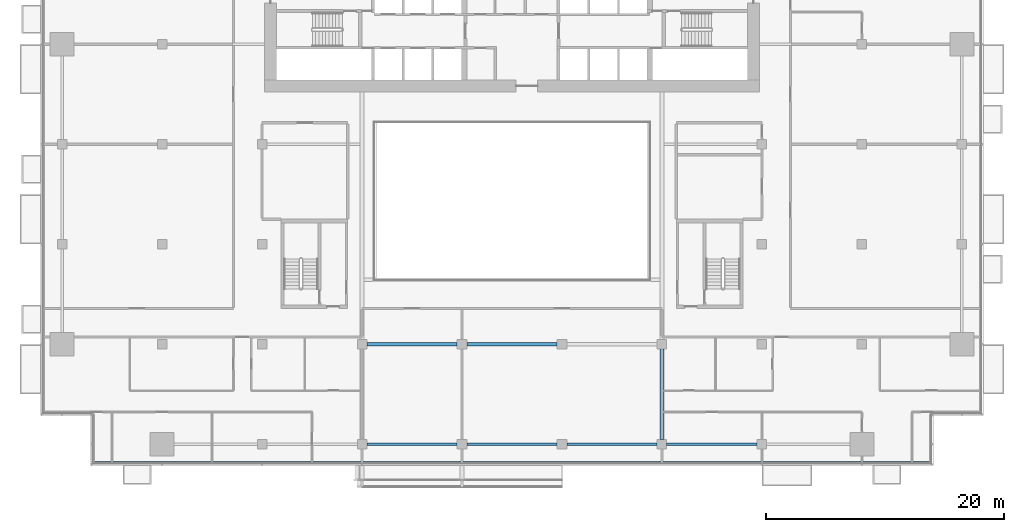
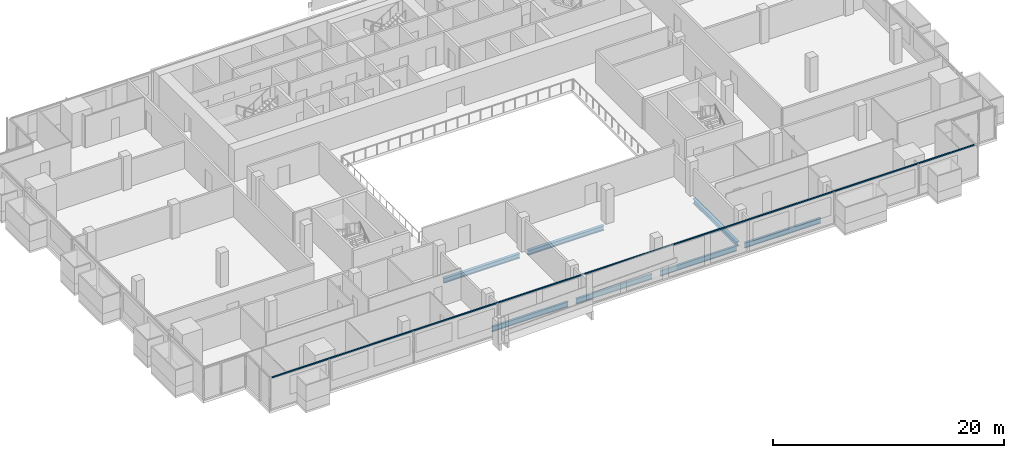
# One storey, part 5 of 26: 7 beams, 1 member, 1 element without a shape of its own.
"""IFC4 building model written with IfcOpenShell, lengths in metres."""

import ifcopenshell
import ifcopenshell.guid

model = None  # the IFC model being written
_history = None  # IfcOwnerHistory: only IFC2X3 demands one
_inside = {}  # id of a spatial element -> (the spatial element, [elements in it])
_under = {}  # id of a project, library or spatial element -> (it, [spatial elements below it])
_declared = {}  # id of a project -> (the project, [libraries it declares])
_typed = {}  # id of a type object -> (the type object, [elements of that type])
_made_of = {}  # id of a material, layer set ... -> (it, [elements and type objects made of it])


def new_model(schema):
    """Start an empty IFC model of exactly this schema.

    Asked for "IFC4X3", IfcOpenShell would pick the latest addendum, in which some entities
    have other attributes; the version numbers below select the first issue.
    IFC2X3 requires an IfcOwnerHistory on every rooted entity: one is made here for all.
    """
    global model, _history
    if schema == "IFC4X3":
        model = ifcopenshell.file(schema_version=(4, 3, 0, 0))
    else:
        model = ifcopenshell.file(schema=schema)
    _inside.clear()
    _under.clear()
    _declared.clear()
    _typed.clear()
    _made_of.clear()
    _history = None
    if model.schema == "IFC2X3":
        org = make("IfcOrganization", Name="unknown")
        user = make(
            "IfcPersonAndOrganization",
            ThePerson=make("IfcPerson", FamilyName="unknown"),
            TheOrganization=org,
        )
        app = make(
            "IfcApplication",
            ApplicationDeveloper=org,
            Version="unknown",
            ApplicationFullName="unknown",
            ApplicationIdentifier="unknown",
        )
        _history = make(
            "IfcOwnerHistory",
            OwningUser=user,
            OwningApplication=app,
            ChangeAction="ADDED",
            CreationDate=0,
        )
    return model


def make(cls, **values):
    """One entity of the class cls with the attributes given. An attribute that is None is left unset."""
    return model.create_entity(
        cls, **{name: value for name, value in values.items() if value is not None}
    )


def rooted(cls, **values):
    """An entity with a GlobalId (a new one), such as an element, a storey or a relation."""
    return make(cls, GlobalId=ifcopenshell.guid.new(), OwnerHistory=_history, **values)


def si_unit(unit_type, name, prefix=None):
    """IfcSIUnit, for example si_unit("LENGTHUNIT", "METRE", prefix="MILLI")."""
    return make("IfcSIUnit", UnitType=unit_type, Prefix=prefix, Name=name)


def assignment(units):
    """IfcUnitAssignment: the units of a project."""
    return None if units is None else make("IfcUnitAssignment", Units=units)


def point(xyz):
    """IfcCartesianPoint."""
    return None if xyz is None else make("IfcCartesianPoint", Coordinates=xyz)


def direction(xyz):
    """IfcDirection."""
    return None if xyz is None else make("IfcDirection", DirectionRatios=xyz)


def frame(location, z_axis=None, x_axis=None):
    """IfcAxis2Placement3D, a coordinate frame: its origin and axes. An axis left out is left unset."""
    return make(
        "IfcAxis2Placement3D",
        Location=point(location),
        Axis=direction(z_axis),
        RefDirection=direction(x_axis),
    )


def frame_2d(location, x_axis=None):
    """IfcAxis2Placement2D, a coordinate frame in the plane: its origin and x axis."""
    return make(
        "IfcAxis2Placement2D", Location=point(location), RefDirection=direction(x_axis)
    )


def origin():
    """The frame at (0, 0, 0) with its axes left unset."""
    return frame((0.0, 0.0, 0.0))


def origin_2d():
    """The frame at (0, 0) in the plane with its x axis left unset."""
    return frame_2d((0.0, 0.0))


def place(relative_to, where):
    """IfcLocalPlacement: puts the frame where relative to a parent placement (None: the world)."""
    return make(
        "IfcLocalPlacement", PlacementRelTo=relative_to, RelativePlacement=where
    )


def context(
    kind, dimensions, precision=None, world=None, true_north=None, identifier=None
):
    """IfcGeometricRepresentationContext, for example the 3D "Model" context."""
    return make(
        "IfcGeometricRepresentationContext",
        ContextIdentifier=identifier,
        ContextType=kind,
        CoordinateSpaceDimension=dimensions,
        Precision=precision,
        WorldCoordinateSystem=world,
        TrueNorth=true_north,
    )


def subcontext(parent, identifier, kind, view, scale=None):
    """IfcGeometricRepresentationSubContext, for example "Body" below "Model"."""
    return make(
        "IfcGeometricRepresentationSubContext",
        ContextIdentifier=identifier,
        ContextType=kind,
        ParentContext=parent,
        TargetScale=scale,
        TargetView=view,
    )


def project(units=None, contexts=None):
    """IfcProject with its units and contexts."""
    return rooted(
        "IfcProject",
        Name="project",
        RepresentationContexts=contexts,
        UnitsInContext=assignment(units),
    )


def spatial(cls, under=None, at=None, **own):
    """A site, building, storey or space (cls), placed at a placement, below another one or the project."""
    s = rooted(cls, ObjectPlacement=at, **own)
    if under is not None:
        _under.setdefault(under.id(), (under, []))[1].append(s)
    return s


def profile(cls, at=None, kind="AREA", **sizes):
    """A parametric profile (cls). Its sizes go by their IFC names, for example OverallWidth=200.0."""
    return make(cls, ProfileType=kind, Position=at, **sizes)


def rectangle(**sizes):
    """IfcRectangleProfileDef."""
    return profile("IfcRectangleProfileDef", **sizes)


def i_section(**sizes):
    """IfcIShapeProfileDef."""
    return profile("IfcIShapeProfileDef", **sizes)


def extrude(swept, where, along, depth):
    """IfcExtrudedAreaSolid: the profile swept, set in the frame where, extruded along a direction by depth."""
    return make(
        "IfcExtrudedAreaSolid",
        SweptArea=swept,
        Position=where,
        ExtrudedDirection=direction(along),
        Depth=depth,
    )


def shape(context_of_items, identifier, shape_type, items):
    """IfcShapeRepresentation: the items that make up one representation, for example the "Body"."""
    return make(
        "IfcShapeRepresentation",
        ContextOfItems=context_of_items,
        RepresentationIdentifier=identifier,
        RepresentationType=shape_type,
        Items=items,
    )


def material(Name=None, Category=None):
    """IfcMaterial."""
    return make("IfcMaterial", Name=Name, Category=Category)


def material_profile(
    of_material, cross_section, Name=None, Category=None, Priority=None
):
    """IfcMaterialProfile: a cross section and its material."""
    return make(
        "IfcMaterialProfile",
        Name=Name,
        Material=of_material,
        Profile=cross_section,
        Priority=Priority,
        Category=Category,
    )


def profile_set(profiles, Name=None, composite=None):
    """IfcMaterialProfileSet."""
    return make(
        "IfcMaterialProfileSet",
        Name=Name,
        MaterialProfiles=profiles,
        CompositeProfile=composite,
    )


def made_of(thing, what):
    """Note that an element or type object is made of a material, layer set ...; save() writes the relation."""
    if what is not None:
        _made_of.setdefault(what.id(), (what, []))[1].append(thing)
    return thing


def type_object(cls, material=None, **own):
    """A type object (cls), such as IfcWallType, which elements share."""
    return made_of(rooted(cls, **own), material)


def element(
    cls,
    number,
    at=None,
    inside=None,
    cuts=None,
    type_object=None,
    material=None,
    context=None,
    identifier="Body",
    shape_type=None,
    held_by="IfcProductDefinitionShape",
    body=None,
    shapes=None,
    **own,
):
    """One element of the class cls, such as IfcWall. Its Tag is "e" and its number.

    at: its placement. inside: the storey or other place that contains it. cuts: it is an
    opening in that element (IfcRelVoidsElement). A single representation is given by context,
    identifier, shape_type and body (its items); several are given by shapes. held_by: the class
    of the entity that holds the representations. save() writes the other relations.
    """
    e = rooted(cls, Tag="e%d" % number, ObjectPlacement=at, **own)
    if body is not None:
        shapes = [shape(context, identifier, shape_type, body)]
    if shapes is not None:
        e.Representation = make(held_by, Representations=shapes)
    if inside is not None:
        _inside.setdefault(inside.id(), (inside, []))[1].append(e)
    if cuts is not None:
        rooted(
            "IfcRelVoidsElement", RelatingBuildingElement=cuts, RelatedOpeningElement=e
        )
    if type_object is not None:
        _typed.setdefault(type_object.id(), (type_object, []))[1].append(e)
    return made_of(e, material)


def aggregate(whole, parts):
    """IfcRelAggregates: a whole, such as a stair, and the parts it consists of."""
    return rooted("IfcRelAggregates", RelatingObject=whole, RelatedObjects=parts)


def save(model, path):
    """Write the relations noted so far, then the file.

    IfcRelAggregates (storeys below a building ...), IfcRelContainedInSpatialStructure (elements
    in a storey), IfcRelDefinesByType, IfcRelAssociatesMaterial and IfcRelDeclares: one each for
    every whole, place, type object, material and project.
    """
    for whole, parts in _under.values():
        aggregate(whole, parts)
    for where, things in _inside.values():
        rooted(
            "IfcRelContainedInSpatialStructure",
            RelatedElements=things,
            RelatingStructure=where,
        )
    for kind, things in _typed.values():
        rooted("IfcRelDefinesByType", RelatedObjects=things, RelatingType=kind)
    for what, things in _made_of.values():
        rooted("IfcRelAssociatesMaterial", RelatedObjects=things, RelatingMaterial=what)
    for by, libraries in _declared.values():
        rooted("IfcRelDeclares", RelatingContext=by, RelatedDefinitions=libraries)
    model.write(path)


model = new_model("IFC4")

# Units and contexts
model_context = context("Model", 3, precision=1e-05, world=origin(), true_north=direction((0.0, 1.0)))
body_context = subcontext(model_context, "Body", "Model", "MODEL_VIEW")
ifc_project = project(units=[si_unit("LENGTHUNIT", "METRE"), si_unit("AREAUNIT", "SQUARE_METRE"), si_unit("VOLUMEUNIT", "CUBIC_METRE"), si_unit("PLANEANGLEUNIT", "RADIAN"), si_unit("MASSUNIT", "GRAM", prefix="KILO")], contexts=[model_context])

# Site, building, storey
site_placement = place(None, origin())
site = spatial("IfcSite", under=ifc_project, at=site_placement, CompositionType="ELEMENT")
building_placement = place(site_placement, origin())
building = spatial("IfcBuilding", under=site, at=building_placement, Name="Saffron Gate Tower", CompositionType="ELEMENT")
storey_placement = place(building_placement, frame((0.0, 0.0, 98.85009765625)))
storey = spatial("IfcBuildingStorey", under=building, at=storey_placement, Name="L22", CompositionType="ELEMENT", Elevation=98.85009765625)

# Beams
ifc_material_1 = material(Name="Structural steel S355", Category="steel")
ifc_material_profile_1 = material_profile(ifc_material_1, i_section(OverallWidth=0.2099609375, OverallDepth=0.550048828125, WebThickness=0.010986328125, FlangeThickness=0.01708984375, FilletRadius=0.02392578125, at=origin_2d()))
ifc_profile_set_1 = profile_set([ifc_material_profile_1], Name="Structural steel S355")
beam_type_1 = type_object("IfcBeamType", Name="B13 IPE 550", PredefinedType="SPANDREL", material=ifc_profile_set_1)
beam_1_placement = place(storey_placement, frame((75.39990234375, 31.800048828125, -0.55517578125), z_axis=(1.0, 0.0, 0.0), x_axis=(0.0, 1.0, 0.0)))
element("IfcBeam", 1, at=beam_1_placement, inside=storey, type_object=beam_type_1, Name="B13 SPANDREL BEAM", PredefinedType="SPANDREL", context=body_context, shape_type="SweptSolid", body=[
    extrude(i_section(OverallWidth=0.2099609375, OverallDepth=0.550048828125, WebThickness=0.010986328125, FlangeThickness=0.01708984375, FilletRadius=0.02392578125, at=origin_2d()), origin(), (0.0, 0.0, 1.0), 7.60009765625),
])
beam_2_placement = place(storey_placement, frame((83.800048828125, 31.800048828125, -0.55517578125), z_axis=(1.0, 0.0, 0.0), x_axis=(0.0, 1.0, 0.0)))
element("IfcBeam", 2, at=beam_2_placement, inside=storey, type_object=beam_type_1, Name="B13 SPANDREL BEAM", PredefinedType="SPANDREL", context=body_context, shape_type="SweptSolid", body=[
    extrude(i_section(OverallWidth=0.2099609375, OverallDepth=0.550048828125, WebThickness=0.010986328125, FlangeThickness=0.01708984375, FilletRadius=0.02392578125, at=origin_2d()), origin(), (0.0, 0.0, 1.0), 7.599853515625),
])
beam_3_placement = place(storey_placement, frame((92.199951171875, 31.800048828125, -0.55517578125), z_axis=(1.0, 0.0, 0.0), x_axis=(0.0, 1.0, 0.0)))
element("IfcBeam", 3, at=beam_3_placement, inside=storey, type_object=beam_type_1, Name="B13 SPANDREL BEAM", PredefinedType="SPANDREL", context=body_context, shape_type="SweptSolid", body=[
    extrude(i_section(OverallWidth=0.2099609375, OverallDepth=0.550048828125, WebThickness=0.010986328125, FlangeThickness=0.01708984375, FilletRadius=0.02392578125, at=origin_2d()), origin(), (0.0, 0.0, 1.0), 7.60009765625),
])
beam_4_placement = place(storey_placement, frame((100.60009765625, 31.800048828125, -0.55517578125), z_axis=(1.0, 0.0, 0.0), x_axis=(0.0, 1.0, 0.0)))
element("IfcBeam", 4, at=beam_4_placement, inside=storey, type_object=beam_type_1, Name="B13 SPANDREL BEAM", PredefinedType="SPANDREL", context=body_context, shape_type="SweptSolid", body=[
    extrude(i_section(OverallWidth=0.2099609375, OverallDepth=0.550048828125, WebThickness=0.010986328125, FlangeThickness=0.01708984375, FilletRadius=0.02392578125, at=origin_2d()), origin(), (0.0, 0.0, 1.0), 7.599853515625),
])
ifc_material_profile_2 = material_profile(ifc_material_1, i_section(OverallWidth=0.300048828125, OverallDepth=0.489990234375, WebThickness=0.011962890625, FlangeThickness=0.02294921875, FilletRadius=0.027099609375, at=origin_2d()))
ifc_profile_set_2 = profile_set([ifc_material_profile_2], Name="Structural steel S355")
beam_type_2 = type_object("IfcBeamType", Name="B8 HEA 500", PredefinedType="BEAM", material=ifc_profile_set_2)
for number, where, z_axis, x_axis, name in (
    (5, (100.199951171875, 32.199951171875, -0.525146484375), (0.0, 1.0, 0.0), (-1.0, 0.0, 0.0), "B8 FLOOR GIRDER"),
    (6, (75.39990234375, 40.199951171875, -0.525146484375), (1.0, 0.0, 0.0), (0.0, 1.0, 0.0), "B8 FLOOR GIRDER"),
):
    element("IfcBeam", number, at=place(storey_placement, frame(where, z_axis=z_axis, x_axis=x_axis)), inside=storey, type_object=beam_type_2, Name=name, PredefinedType="BEAM", context=body_context, shape_type="SweptSolid", body=[
        extrude(i_section(OverallWidth=0.300048828125, OverallDepth=0.489990234375, WebThickness=0.011962890625, FlangeThickness=0.02294921875, FilletRadius=0.027099609375, at=origin_2d()), origin(), (0.0, 0.0, 1.0), 7.60009765625),
    ])
beam_5_placement = place(storey_placement, frame((83.800048828125, 40.199951171875, -0.525146484375), z_axis=(1.0, 0.0, 0.0), x_axis=(0.0, 1.0, 0.0)))
element("IfcBeam", 7, at=beam_5_placement, inside=storey, type_object=beam_type_2, Name="B8 FLOOR GIRDER", PredefinedType="BEAM", context=body_context, shape_type="SweptSolid", body=[
    extrude(i_section(OverallWidth=0.300048828125, OverallDepth=0.489990234375, WebThickness=0.011962890625, FlangeThickness=0.02294921875, FilletRadius=0.027099609375, at=origin_2d()), origin(), (0.0, 0.0, 1.0), 7.599853515625),
])

# Curtain wall, member
ifc_material_2 = material(Name="Aluminium, bronze anodised", Category="aluminium")
curtain_wall_type = type_object("IfcCurtainWallType", Name="CWS1 curtain wall front facade", PredefinedType="NOTDEFINED", material=ifc_material_2)
curtain_wall_placement = place(storey_placement, origin())
curtain_wall = element("IfcCurtainWall", 8, at=curtain_wall_placement, inside=storey, type_object=curtain_wall_type, Name="CWS1 run 1", PredefinedType="NOTDEFINED")
ifc_material_profile_3 = material_profile(ifc_material_2, rectangle(XDim=0.1201171875, YDim=0.1201171875, at=origin_2d()))
ifc_profile_set_3 = profile_set([ifc_material_profile_3], Name="Aluminium, bronze anodised")
member_type = type_object("IfcMemberType", Name="CWS1 head transom", PredefinedType="USERDEFINED", material=ifc_profile_set_3)
member_placement = place(storey_placement, frame((52.568115234375, 30.248046875, 3.260009765625), z_axis=(1.0, 0.0, 0.0), x_axis=(0.0, 1.0, 0.0)))
member = element("IfcMember", 9, at=member_placement, type_object=member_type, Name="CWS1 head transom", ObjectType="TRANSOM", PredefinedType="USERDEFINED", context=body_context, shape_type="SweptSolid", body=[
    extrude(rectangle(XDim=0.1201171875, YDim=0.1201171875, at=origin_2d()), origin(), (0.0, 0.0, 1.0), 70.06396484375),
])
aggregate(curtain_wall, [member])

save(model, "model.ifc")
